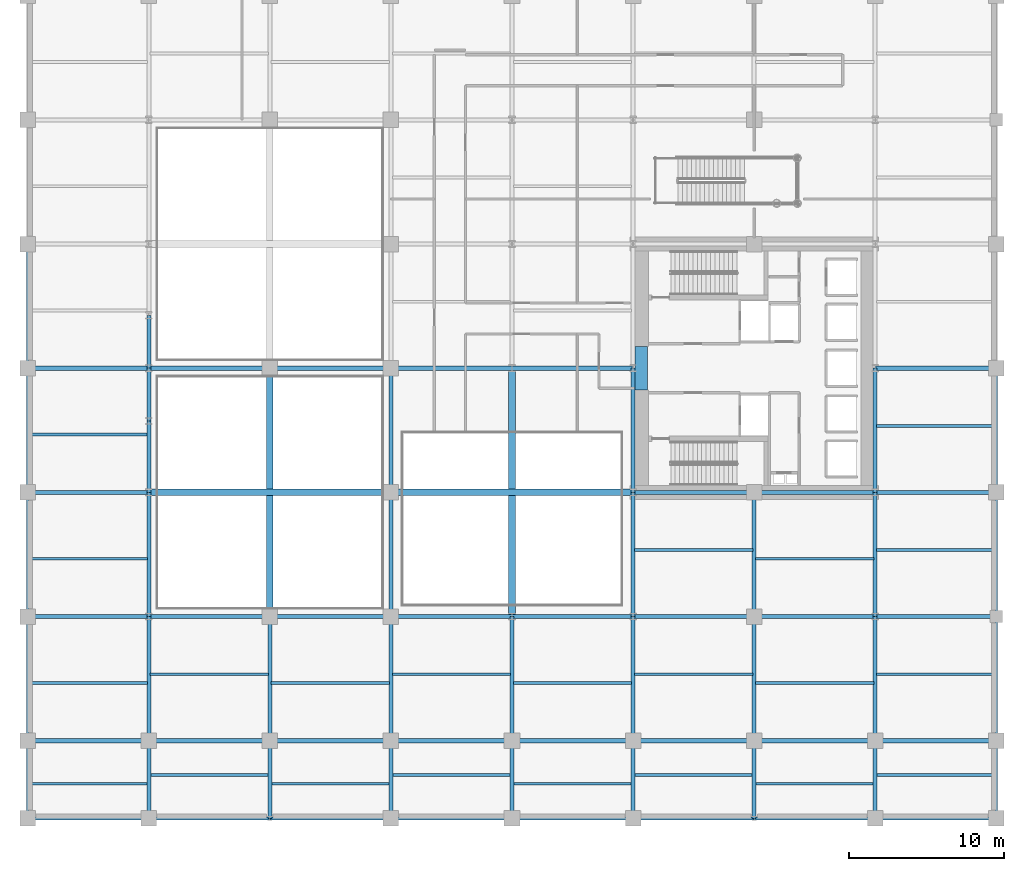
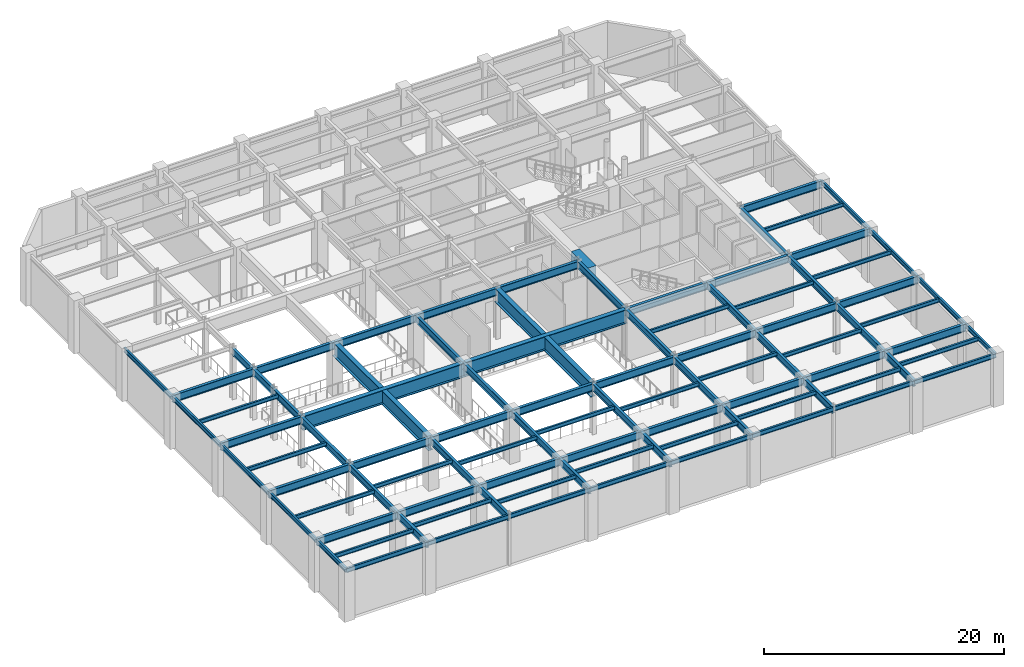
# One storey, part 6 of 15: 95 beams.
"""IFC4 building model written with IfcOpenShell, lengths in metres."""

from ifc_helpers import new_model, si_unit, direction, frame, origin, origin_2d, place, context, subcontext, project, spatial, rectangle, i_section, extrude, material, material_profile, profile_set, type_object, element, save


model = new_model("IFC4")

# Units and contexts
model_context = context("Model", 3, precision=1e-05, world=origin(), true_north=direction((0.0, 1.0)))
body_context = subcontext(model_context, "Body", "Model", "MODEL_VIEW")
ifc_project = project(units=[si_unit("LENGTHUNIT", "METRE"), si_unit("AREAUNIT", "SQUARE_METRE"), si_unit("VOLUMEUNIT", "CUBIC_METRE"), si_unit("PLANEANGLEUNIT", "RADIAN"), si_unit("MASSUNIT", "GRAM", prefix="KILO")], contexts=[model_context])

# Site, building, storey
site_placement = place(None, origin())
site = spatial("IfcSite", under=ifc_project, at=site_placement, CompositionType="ELEMENT")
building_placement = place(site_placement, origin())
building = spatial("IfcBuilding", under=site, at=building_placement, Name="Veymaron Broadcast Tower", CompositionType="ELEMENT")
storey_placement = place(building_placement, frame((0.0, 0.0, 5.39990234375)))
storey = spatial("IfcBuildingStorey", under=building, at=storey_placement, Name="L01", CompositionType="ELEMENT", Elevation=5.39990234375)

# Beams
ifc_material_1 = material(Name="Concrete C70/85", Category="concrete")
ifc_material_profile_1 = material_profile(ifc_material_1, rectangle(XDim=0.800048828125, YDim=1.10009765625, at=origin_2d()), Name="RC800X1100")
ifc_profile_set_1 = profile_set([ifc_material_profile_1], Name="Concrete C70/85")
beam_type_1 = type_object("IfcBeamType", Name="BM-CB1", PredefinedType="LINTEL", material=ifc_profile_set_1)
beam_1_placement = place(storey_placement, frame((39.530029296875, 22.60009765625, 4.570068359375), z_axis=(0.0, 1.0, 0.0), x_axis=(-1.0, 0.0, 0.0)))
element("IfcBeam", 1, at=beam_1_placement, inside=storey, type_object=beam_type_1, Name="L01 Core Wall west coupling beam", PredefinedType="LINTEL", context=body_context, shape_type="SweptSolid", body=[
    extrude(rectangle(XDim=0.800048828125, YDim=1.10009765625, at=origin_2d()), origin(), (0.0, 0.0, 1.0), 2.7998046875),
])
ifc_material_2 = material(Name="Structural steel ASTM A992 Gr 50", Category="steel")
ifc_material_profile_2 = material_profile(ifc_material_2, i_section(OverallWidth=0.177978515625, OverallDepth=0.406982421875, WebThickness=0.0078125, FlangeThickness=0.0126953125, at=origin_2d()), Name="W410X60")
ifc_profile_set_2 = profile_set([ifc_material_profile_2], Name="Structural steel ASTM A992 Gr 50")
beam_type_2 = type_object("IfcBeamType", Name="BM-JS1", PredefinedType="JOIST", material=ifc_profile_set_2)
for number, where, z_axis, x_axis, name in (
    (2, (0.0849609375, -2.780029296875, 4.91650390625), (1.0, 0.0, 0.0), (0.0, 1.0, 0.0), "L01 podium secondary floor joist"),
    (3, (0.0849609375, 3.719970703125, 4.91650390625), (1.0, 0.0, 0.0), (0.0, 1.0, 0.0), "L01 podium secondary floor joist"),
    (4, (0.0849609375, 11.719970703125, 4.91650390625), (1.0, 0.0, 0.0), (0.0, 1.0, 0.0), "L01 podium secondary floor joist"),
    (5, (0.0849609375, 19.719970703125, 4.91650390625), (1.0, 0.0, 0.0), (0.0, 1.0, 0.0), "L01 podium secondary floor joist"),
):
    element("IfcBeam", number, at=place(storey_placement, frame(where, z_axis=z_axis, x_axis=x_axis)), inside=storey, type_object=beam_type_2, Name=name, PredefinedType="JOIST", context=body_context, shape_type="SweptSolid", body=[
        extrude(i_section(OverallWidth=0.177978515625, OverallDepth=0.406982421875, WebThickness=0.0078125, FlangeThickness=0.0126953125, at=origin_2d()), origin(), (0.0, 0.0, 1.0), 7.630126953125),
    ])
for number, where, z_axis, x_axis, name in (
    (6, (7.885009765625, -2.219970703125, 4.91650390625), (1.0, 0.0, 0.0), (0.0, 1.0, 0.0), "L01 podium secondary floor joist"),
    (7, (7.885009765625, 4.280029296875, 4.91650390625), (1.0, 0.0, 0.0), (0.0, 1.0, 0.0), "L01 podium secondary floor joist"),
    (8, (15.68505859375, -2.780029296875, 4.91650390625), (1.0, 0.0, 0.0), (0.0, 1.0, 0.0), "L01 podium secondary floor joist"),
    (9, (15.68505859375, 3.719970703125, 4.91650390625), (1.0, 0.0, 0.0), (0.0, 1.0, 0.0), "L01 podium secondary floor joist"),
    (10, (23.485107421875, -2.219970703125, 4.91650390625), (1.0, 0.0, 0.0), (0.0, 1.0, 0.0), "L01 podium secondary floor joist"),
    (11, (23.485107421875, 4.280029296875, 4.91650390625), (1.0, 0.0, 0.0), (0.0, 1.0, 0.0), "L01 podium secondary floor joist"),
):
    element("IfcBeam", number, at=place(storey_placement, frame(where, z_axis=z_axis, x_axis=x_axis)), inside=storey, type_object=beam_type_2, Name=name, PredefinedType="JOIST", context=body_context, shape_type="SweptSolid", body=[
        extrude(i_section(OverallWidth=0.177978515625, OverallDepth=0.406982421875, WebThickness=0.0078125, FlangeThickness=0.0126953125, at=origin_2d()), origin(), (0.0, 0.0, 1.0), 7.6298828125),
    ])
for number, where, z_axis, x_axis, name in (
    (12, (31.284912109375, -2.780029296875, 4.91650390625), (1.0, 0.0, 0.0), (0.0, 1.0, 0.0), "L01 podium secondary floor joist"),
    (13, (31.284912109375, 3.719970703125, 4.91650390625), (1.0, 0.0, 0.0), (0.0, 1.0, 0.0), "L01 podium secondary floor joist"),
    (14, (39.0849609375, -2.219970703125, 4.91650390625), (1.0, 0.0, 0.0), (0.0, 1.0, 0.0), "L01 podium secondary floor joist"),
    (15, (39.0849609375, 4.280029296875, 4.91650390625), (1.0, 0.0, 0.0), (0.0, 1.0, 0.0), "L01 podium secondary floor joist"),
    (16, (39.0849609375, 12.280029296875, 4.91650390625), (1.0, 0.0, 0.0), (0.0, 1.0, 0.0), "L01 podium secondary floor joist"),
):
    element("IfcBeam", number, at=place(storey_placement, frame(where, z_axis=z_axis, x_axis=x_axis)), inside=storey, type_object=beam_type_2, Name=name, PredefinedType="JOIST", context=body_context, shape_type="SweptSolid", body=[
        extrude(i_section(OverallWidth=0.177978515625, OverallDepth=0.406982421875, WebThickness=0.0078125, FlangeThickness=0.0126953125, at=origin_2d()), origin(), (0.0, 0.0, 1.0), 7.630126953125),
    ])
for number, where, z_axis, x_axis, name in (
    (17, (46.885009765625, -2.780029296875, 4.91650390625), (1.0, 0.0, 0.0), (0.0, 1.0, 0.0), "L01 podium secondary floor joist"),
    (18, (46.885009765625, 3.719970703125, 4.91650390625), (1.0, 0.0, 0.0), (0.0, 1.0, 0.0), "L01 podium secondary floor joist"),
    (19, (46.885009765625, 11.719970703125, 4.91650390625), (1.0, 0.0, 0.0), (0.0, 1.0, 0.0), "L01 podium secondary floor joist"),
    (20, (54.68505859375, -2.219970703125, 4.91650390625), (1.0, 0.0, 0.0), (0.0, 1.0, 0.0), "L01 podium secondary floor joist"),
    (21, (54.68505859375, 4.280029296875, 4.91650390625), (1.0, 0.0, 0.0), (0.0, 1.0, 0.0), "L01 podium secondary floor joist"),
    (22, (54.68505859375, 12.280029296875, 4.91650390625), (1.0, 0.0, 0.0), (0.0, 1.0, 0.0), "L01 podium secondary floor joist"),
    (23, (54.68505859375, 20.280029296875, 4.91650390625), (1.0, 0.0, 0.0), (0.0, 1.0, 0.0), "L01 podium secondary floor joist"),
):
    element("IfcBeam", number, at=place(storey_placement, frame(where, z_axis=z_axis, x_axis=x_axis)), inside=storey, type_object=beam_type_2, Name=name, PredefinedType="JOIST", context=body_context, shape_type="SweptSolid", body=[
        extrude(i_section(OverallWidth=0.177978515625, OverallDepth=0.406982421875, WebThickness=0.0078125, FlangeThickness=0.0126953125, at=origin_2d()), origin(), (0.0, 0.0, 1.0), 7.6298828125),
    ])
ifc_material_profile_3 = material_profile(ifc_material_2, i_section(OverallWidth=0.26806640625, OverallDepth=0.77001953125, WebThickness=0.015625, FlangeThickness=0.025390625, at=origin_2d()), Name="W760X196")
ifc_profile_set_3 = profile_set([ifc_material_profile_3], Name="Structural steel ASTM A992 Gr 50")
beam_type_3 = type_object("IfcBeamType", Name="BM-PG1", PredefinedType="BEAM", material=ifc_profile_set_3)
for number, where, z_axis, x_axis, name in (
    (24, (0.0, 0.0, 4.735107421875), (1.0, 0.0, 0.0), (0.0, 1.0, 0.0), "L01 podium primary X-girder"),
    (25, (7.800048828125, 0.0, 4.735107421875), (1.0, 0.0, 0.0), (0.0, 1.0, 0.0), "L01 podium primary X-girder"),
):
    element("IfcBeam", number, at=place(storey_placement, frame(where, z_axis=z_axis, x_axis=x_axis)), inside=storey, type_object=beam_type_3, Name=name, PredefinedType="BEAM", context=body_context, shape_type="SweptSolid", body=[
        extrude(i_section(OverallWidth=0.26806640625, OverallDepth=0.77001953125, WebThickness=0.015625, FlangeThickness=0.025390625, at=origin_2d()), origin(), (0.0, 0.0, 1.0), 7.800048828125),
    ])
beam_2_placement = place(storey_placement, frame((15.60009765625, 0.0, 4.735107421875), z_axis=(1.0, 0.0, 0.0), x_axis=(0.0, 1.0, 0.0)))
element("IfcBeam", 26, at=beam_2_placement, inside=storey, type_object=beam_type_3, Name="L01 podium primary X-girder", PredefinedType="BEAM", context=body_context, shape_type="SweptSolid", body=[
    extrude(i_section(OverallWidth=0.26806640625, OverallDepth=0.77001953125, WebThickness=0.015625, FlangeThickness=0.025390625, at=origin_2d()), origin(), (0.0, 0.0, 1.0), 7.7998046875),
])
for number, where, z_axis, x_axis, name in (
    (27, (23.39990234375, 0.0, 4.735107421875), (1.0, 0.0, 0.0), (0.0, 1.0, 0.0), "L01 podium primary X-girder"),
    (28, (31.199951171875, 0.0, 4.735107421875), (1.0, 0.0, 0.0), (0.0, 1.0, 0.0), "L01 podium primary X-girder"),
    (29, (39.0, 0.0, 4.735107421875), (1.0, 0.0, 0.0), (0.0, 1.0, 0.0), "L01 podium primary X-girder"),
    (30, (46.800048828125, 0.0, 4.735107421875), (1.0, 0.0, 0.0), (0.0, 1.0, 0.0), "L01 podium primary X-girder"),
):
    element("IfcBeam", number, at=place(storey_placement, frame(where, z_axis=z_axis, x_axis=x_axis)), inside=storey, type_object=beam_type_3, Name=name, PredefinedType="BEAM", context=body_context, shape_type="SweptSolid", body=[
        extrude(i_section(OverallWidth=0.26806640625, OverallDepth=0.77001953125, WebThickness=0.015625, FlangeThickness=0.025390625, at=origin_2d()), origin(), (0.0, 0.0, 1.0), 7.800048828125),
    ])
beam_3_placement = place(storey_placement, frame((54.60009765625, 0.0, 4.735107421875), z_axis=(1.0, 0.0, 0.0), x_axis=(0.0, 1.0, 0.0)))
element("IfcBeam", 31, at=beam_3_placement, inside=storey, type_object=beam_type_3, Name="L01 podium primary X-girder", PredefinedType="BEAM", context=body_context, shape_type="SweptSolid", body=[
    extrude(i_section(OverallWidth=0.26806640625, OverallDepth=0.77001953125, WebThickness=0.015625, FlangeThickness=0.025390625, at=origin_2d()), origin(), (0.0, 0.0, 1.0), 7.7998046875),
])
for number, where, z_axis, x_axis, name in (
    (32, (0.0, 8.0, 4.735107421875), (1.0, 0.0, 0.0), (0.0, 1.0, 0.0), "L01 podium primary X-girder"),
    (33, (7.800048828125, 8.0, 4.735107421875), (1.0, 0.0, 0.0), (0.0, 1.0, 0.0), "L01 podium primary X-girder"),
):
    element("IfcBeam", number, at=place(storey_placement, frame(where, z_axis=z_axis, x_axis=x_axis)), inside=storey, type_object=beam_type_3, Name=name, PredefinedType="BEAM", context=body_context, shape_type="SweptSolid", body=[
        extrude(i_section(OverallWidth=0.26806640625, OverallDepth=0.77001953125, WebThickness=0.015625, FlangeThickness=0.025390625, at=origin_2d()), origin(), (0.0, 0.0, 1.0), 7.800048828125),
    ])
beam_4_placement = place(storey_placement, frame((15.60009765625, 8.0, 4.735107421875), z_axis=(1.0, 0.0, 0.0), x_axis=(0.0, 1.0, 0.0)))
element("IfcBeam", 34, at=beam_4_placement, inside=storey, type_object=beam_type_3, Name="L01 podium primary X-girder", PredefinedType="BEAM", context=body_context, shape_type="SweptSolid", body=[
    extrude(i_section(OverallWidth=0.26806640625, OverallDepth=0.77001953125, WebThickness=0.015625, FlangeThickness=0.025390625, at=origin_2d()), origin(), (0.0, 0.0, 1.0), 7.7998046875),
])
for number, where, z_axis, x_axis, name in (
    (35, (23.39990234375, 8.0, 4.735107421875), (1.0, 0.0, 0.0), (0.0, 1.0, 0.0), "L01 podium primary X-girder"),
    (36, (31.199951171875, 8.0, 4.735107421875), (1.0, 0.0, 0.0), (0.0, 1.0, 0.0), "L01 podium primary X-girder"),
    (37, (39.0, 8.0, 4.735107421875), (1.0, 0.0, 0.0), (0.0, 1.0, 0.0), "L01 podium primary X-girder"),
    (38, (46.800048828125, 8.0, 4.735107421875), (1.0, 0.0, 0.0), (0.0, 1.0, 0.0), "L01 podium primary X-girder"),
):
    element("IfcBeam", number, at=place(storey_placement, frame(where, z_axis=z_axis, x_axis=x_axis)), inside=storey, type_object=beam_type_3, Name=name, PredefinedType="BEAM", context=body_context, shape_type="SweptSolid", body=[
        extrude(i_section(OverallWidth=0.26806640625, OverallDepth=0.77001953125, WebThickness=0.015625, FlangeThickness=0.025390625, at=origin_2d()), origin(), (0.0, 0.0, 1.0), 7.800048828125),
    ])
beam_5_placement = place(storey_placement, frame((54.60009765625, 8.0, 4.735107421875), z_axis=(1.0, 0.0, 0.0), x_axis=(0.0, 1.0, 0.0)))
element("IfcBeam", 39, at=beam_5_placement, inside=storey, type_object=beam_type_3, Name="L01 podium primary X-girder", PredefinedType="BEAM", context=body_context, shape_type="SweptSolid", body=[
    extrude(i_section(OverallWidth=0.26806640625, OverallDepth=0.77001953125, WebThickness=0.015625, FlangeThickness=0.025390625, at=origin_2d()), origin(), (0.0, 0.0, 1.0), 7.7998046875),
])
for number, where, z_axis, x_axis, name in (
    (40, (0.0, 16.0, 4.735107421875), (1.0, 0.0, 0.0), (0.0, 1.0, 0.0), "L01 podium primary X-girder"),
    (41, (39.0, 16.0, 4.735107421875), (1.0, 0.0, 0.0), (0.0, 1.0, 0.0), "L01 podium primary X-girder"),
    (42, (46.800048828125, 16.0, 4.735107421875), (1.0, 0.0, 0.0), (0.0, 1.0, 0.0), "L01 podium primary X-girder"),
):
    element("IfcBeam", number, at=place(storey_placement, frame(where, z_axis=z_axis, x_axis=x_axis)), inside=storey, type_object=beam_type_3, Name=name, PredefinedType="BEAM", context=body_context, shape_type="SweptSolid", body=[
        extrude(i_section(OverallWidth=0.26806640625, OverallDepth=0.77001953125, WebThickness=0.015625, FlangeThickness=0.025390625, at=origin_2d()), origin(), (0.0, 0.0, 1.0), 7.800048828125),
    ])
beam_6_placement = place(storey_placement, frame((54.60009765625, 16.0, 4.735107421875), z_axis=(1.0, 0.0, 0.0), x_axis=(0.0, 1.0, 0.0)))
element("IfcBeam", 43, at=beam_6_placement, inside=storey, type_object=beam_type_3, Name="L01 podium primary X-girder", PredefinedType="BEAM", context=body_context, shape_type="SweptSolid", body=[
    extrude(i_section(OverallWidth=0.26806640625, OverallDepth=0.77001953125, WebThickness=0.015625, FlangeThickness=0.025390625, at=origin_2d()), origin(), (0.0, 0.0, 1.0), 7.7998046875),
])
for number, where, z_axis, x_axis, name in (
    (44, (0.0, 24.0, 4.735107421875), (1.0, 0.0, 0.0), (0.0, 1.0, 0.0), "L01 podium primary X-girder"),
    (45, (7.800048828125, 24.0, 4.735107421875), (1.0, 0.0, 0.0), (0.0, 1.0, 0.0), "L01 podium primary X-girder"),
):
    element("IfcBeam", number, at=place(storey_placement, frame(where, z_axis=z_axis, x_axis=x_axis)), inside=storey, type_object=beam_type_3, Name=name, PredefinedType="BEAM", context=body_context, shape_type="SweptSolid", body=[
        extrude(i_section(OverallWidth=0.26806640625, OverallDepth=0.77001953125, WebThickness=0.015625, FlangeThickness=0.025390625, at=origin_2d()), origin(), (0.0, 0.0, 1.0), 7.800048828125),
    ])
beam_7_placement = place(storey_placement, frame((15.60009765625, 24.0, 4.735107421875), z_axis=(1.0, 0.0, 0.0), x_axis=(0.0, 1.0, 0.0)))
element("IfcBeam", 46, at=beam_7_placement, inside=storey, type_object=beam_type_3, Name="L01 podium primary X-girder", PredefinedType="BEAM", context=body_context, shape_type="SweptSolid", body=[
    extrude(i_section(OverallWidth=0.26806640625, OverallDepth=0.77001953125, WebThickness=0.015625, FlangeThickness=0.025390625, at=origin_2d()), origin(), (0.0, 0.0, 1.0), 7.7998046875),
])
for number, where, z_axis, x_axis, name in (
    (47, (23.39990234375, 24.0, 4.735107421875), (1.0, 0.0, 0.0), (0.0, 1.0, 0.0), "L01 podium primary X-girder"),
    (48, (31.199951171875, 24.0, 4.735107421875), (1.0, 0.0, 0.0), (0.0, 1.0, 0.0), "L01 podium primary X-girder"),
):
    element("IfcBeam", number, at=place(storey_placement, frame(where, z_axis=z_axis, x_axis=x_axis)), inside=storey, type_object=beam_type_3, Name=name, PredefinedType="BEAM", context=body_context, shape_type="SweptSolid", body=[
        extrude(i_section(OverallWidth=0.26806640625, OverallDepth=0.77001953125, WebThickness=0.015625, FlangeThickness=0.025390625, at=origin_2d()), origin(), (0.0, 0.0, 1.0), 7.800048828125),
    ])
beam_8_placement = place(storey_placement, frame((54.60009765625, 24.0, 4.735107421875), z_axis=(1.0, 0.0, 0.0), x_axis=(0.0, 1.0, 0.0)))
element("IfcBeam", 49, at=beam_8_placement, inside=storey, type_object=beam_type_3, Name="L01 podium primary X-girder", PredefinedType="BEAM", context=body_context, shape_type="SweptSolid", body=[
    extrude(i_section(OverallWidth=0.26806640625, OverallDepth=0.77001953125, WebThickness=0.015625, FlangeThickness=0.025390625, at=origin_2d()), origin(), (0.0, 0.0, 1.0), 7.7998046875),
])
ifc_material_profile_4 = material_profile(ifc_material_2, i_section(OverallWidth=0.256103515625, OverallDepth=0.693115234375, WebThickness=0.014404296875, FlangeThickness=0.023681640625, at=origin_2d()), Name="W690X170")
ifc_profile_set_4 = profile_set([ifc_material_profile_4], Name="Structural steel ASTM A992 Gr 50")
beam_type_4 = type_object("IfcBeamType", Name="BM-PG2", PredefinedType="BEAM", material=ifc_profile_set_4)
beam_9_placement = place(storey_placement, frame((7.800048828125, -5.0, 4.773681640625), z_axis=(0.0, 1.0, 0.0), x_axis=(-1.0, 0.0, 0.0)))
element("IfcBeam", 50, at=beam_9_placement, inside=storey, type_object=beam_type_4, Name="L01 podium primary Y-girder", PredefinedType="BEAM", context=body_context, shape_type="SweptSolid", body=[
    extrude(i_section(OverallWidth=0.256103515625, OverallDepth=0.693115234375, WebThickness=0.014404296875, FlangeThickness=0.023681640625, at=origin_2d()), origin(), (0.0, 0.0, 1.0), 5.0),
])
for number, where, z_axis, x_axis, name in (
    (51, (7.800048828125, 0.0, 4.773681640625), (0.0, 1.0, 0.0), (-1.0, 0.0, 0.0), "L01 podium primary Y-girder"),
    (52, (7.800048828125, 8.0, 4.773681640625), (0.0, 1.0, 0.0), (-1.0, 0.0, 0.0), "L01 podium primary Y-girder"),
):
    element("IfcBeam", number, at=place(storey_placement, frame(where, z_axis=z_axis, x_axis=x_axis)), inside=storey, type_object=beam_type_4, Name=name, PredefinedType="BEAM", context=body_context, shape_type="SweptSolid", body=[
        extrude(i_section(OverallWidth=0.256103515625, OverallDepth=0.693115234375, WebThickness=0.014404296875, FlangeThickness=0.023681640625, at=origin_2d()), origin(), (0.0, 0.0, 1.0), 8.0),
    ])
beam_10_placement = place(storey_placement, frame((7.800048828125, 16.0, 4.773681640625), z_axis=(0.0, 1.0, 0.0), x_axis=(-1.0, 0.0, 0.0)))
element("IfcBeam", 53, at=beam_10_placement, inside=storey, type_object=beam_type_4, Name="L01 podium primary Y-girder", PredefinedType="BEAM", context=body_context, shape_type="SweptSolid", body=[
    extrude(i_section(OverallWidth=0.256103515625, OverallDepth=0.693115234375, WebThickness=0.014404296875, FlangeThickness=0.023681640625, at=origin_2d()), origin(), (0.0, 0.0, 1.0), 4.60009765625),
])
for number, where, z_axis, x_axis, name in (
    (54, (7.800048828125, 20.60009765625, 4.773681640625), (0.0, 1.0, 0.0), (-1.0, 0.0, 0.0), "L01 podium primary Y-girder"),
    (55, (7.800048828125, 24.0, 4.773681640625), (0.0, 1.0, 0.0), (-1.0, 0.0, 0.0), "L01 podium primary Y-girder"),
):
    element("IfcBeam", number, at=place(storey_placement, frame(where, z_axis=z_axis, x_axis=x_axis)), inside=storey, type_object=beam_type_4, Name=name, PredefinedType="BEAM", context=body_context, shape_type="SweptSolid", body=[
        extrude(i_section(OverallWidth=0.256103515625, OverallDepth=0.693115234375, WebThickness=0.014404296875, FlangeThickness=0.023681640625, at=origin_2d()), origin(), (0.0, 0.0, 1.0), 3.39990234375),
    ])
beam_11_placement = place(storey_placement, frame((15.60009765625, -5.0, 4.773681640625), z_axis=(0.0, 1.0, 0.0), x_axis=(-1.0, 0.0, 0.0)))
element("IfcBeam", 56, at=beam_11_placement, inside=storey, type_object=beam_type_4, Name="L01 podium primary Y-girder", PredefinedType="BEAM", context=body_context, shape_type="SweptSolid", body=[
    extrude(i_section(OverallWidth=0.256103515625, OverallDepth=0.693115234375, WebThickness=0.014404296875, FlangeThickness=0.023681640625, at=origin_2d()), origin(), (0.0, 0.0, 1.0), 5.0),
])
beam_12_placement = place(storey_placement, frame((15.60009765625, 0.0, 4.773681640625), z_axis=(0.0, 1.0, 0.0), x_axis=(-1.0, 0.0, 0.0)))
element("IfcBeam", 57, at=beam_12_placement, inside=storey, type_object=beam_type_4, Name="L01 podium primary Y-girder", PredefinedType="BEAM", context=body_context, shape_type="SweptSolid", body=[
    extrude(i_section(OverallWidth=0.256103515625, OverallDepth=0.693115234375, WebThickness=0.014404296875, FlangeThickness=0.023681640625, at=origin_2d()), origin(), (0.0, 0.0, 1.0), 8.0),
])
beam_13_placement = place(storey_placement, frame((23.39990234375, -5.0, 4.773681640625), z_axis=(0.0, 1.0, 0.0), x_axis=(-1.0, 0.0, 0.0)))
element("IfcBeam", 58, at=beam_13_placement, inside=storey, type_object=beam_type_4, Name="L01 podium primary Y-girder", PredefinedType="BEAM", context=body_context, shape_type="SweptSolid", body=[
    extrude(i_section(OverallWidth=0.256103515625, OverallDepth=0.693115234375, WebThickness=0.014404296875, FlangeThickness=0.023681640625, at=origin_2d()), origin(), (0.0, 0.0, 1.0), 5.0),
])
for number, where, z_axis, x_axis, name in (
    (59, (23.39990234375, 0.0, 4.773681640625), (0.0, 1.0, 0.0), (-1.0, 0.0, 0.0), "L01 podium primary Y-girder"),
    (60, (23.39990234375, 8.0, 4.773681640625), (0.0, 1.0, 0.0), (-1.0, 0.0, 0.0), "L01 podium primary Y-girder"),
    (61, (23.39990234375, 16.0, 4.773681640625), (0.0, 1.0, 0.0), (-1.0, 0.0, 0.0), "L01 podium primary Y-girder"),
):
    element("IfcBeam", number, at=place(storey_placement, frame(where, z_axis=z_axis, x_axis=x_axis)), inside=storey, type_object=beam_type_4, Name=name, PredefinedType="BEAM", context=body_context, shape_type="SweptSolid", body=[
        extrude(i_section(OverallWidth=0.256103515625, OverallDepth=0.693115234375, WebThickness=0.014404296875, FlangeThickness=0.023681640625, at=origin_2d()), origin(), (0.0, 0.0, 1.0), 8.0),
    ])
beam_14_placement = place(storey_placement, frame((31.199951171875, -5.0, 4.773681640625), z_axis=(0.0, 1.0, 0.0), x_axis=(-1.0, 0.0, 0.0)))
element("IfcBeam", 62, at=beam_14_placement, inside=storey, type_object=beam_type_4, Name="L01 podium primary Y-girder", PredefinedType="BEAM", context=body_context, shape_type="SweptSolid", body=[
    extrude(i_section(OverallWidth=0.256103515625, OverallDepth=0.693115234375, WebThickness=0.014404296875, FlangeThickness=0.023681640625, at=origin_2d()), origin(), (0.0, 0.0, 1.0), 5.0),
])
beam_15_placement = place(storey_placement, frame((31.199951171875, 0.0, 4.773681640625), z_axis=(0.0, 1.0, 0.0), x_axis=(-1.0, 0.0, 0.0)))
element("IfcBeam", 63, at=beam_15_placement, inside=storey, type_object=beam_type_4, Name="L01 podium primary Y-girder", PredefinedType="BEAM", context=body_context, shape_type="SweptSolid", body=[
    extrude(i_section(OverallWidth=0.256103515625, OverallDepth=0.693115234375, WebThickness=0.014404296875, FlangeThickness=0.023681640625, at=origin_2d()), origin(), (0.0, 0.0, 1.0), 8.0),
])
beam_16_placement = place(storey_placement, frame((39.0, -5.0, 4.773681640625), z_axis=(0.0, 1.0, 0.0), x_axis=(-1.0, 0.0, 0.0)))
element("IfcBeam", 64, at=beam_16_placement, inside=storey, type_object=beam_type_4, Name="L01 podium primary Y-girder", PredefinedType="BEAM", context=body_context, shape_type="SweptSolid", body=[
    extrude(i_section(OverallWidth=0.256103515625, OverallDepth=0.693115234375, WebThickness=0.014404296875, FlangeThickness=0.023681640625, at=origin_2d()), origin(), (0.0, 0.0, 1.0), 5.0),
])
for number, where, z_axis, x_axis, name in (
    (65, (39.0, 0.0, 4.773681640625), (0.0, 1.0, 0.0), (-1.0, 0.0, 0.0), "L01 podium primary Y-girder"),
    (66, (39.0, 8.0, 4.773681640625), (0.0, 1.0, 0.0), (-1.0, 0.0, 0.0), "L01 podium primary Y-girder"),
    (67, (39.0, 16.0, 4.773681640625), (0.0, 1.0, 0.0), (-1.0, 0.0, 0.0), "L01 podium primary Y-girder"),
):
    element("IfcBeam", number, at=place(storey_placement, frame(where, z_axis=z_axis, x_axis=x_axis)), inside=storey, type_object=beam_type_4, Name=name, PredefinedType="BEAM", context=body_context, shape_type="SweptSolid", body=[
        extrude(i_section(OverallWidth=0.256103515625, OverallDepth=0.693115234375, WebThickness=0.014404296875, FlangeThickness=0.023681640625, at=origin_2d()), origin(), (0.0, 0.0, 1.0), 8.0),
    ])
beam_17_placement = place(storey_placement, frame((46.800048828125, -5.0, 4.773681640625), z_axis=(0.0, 1.0, 0.0), x_axis=(-1.0, 0.0, 0.0)))
element("IfcBeam", 68, at=beam_17_placement, inside=storey, type_object=beam_type_4, Name="L01 podium primary Y-girder", PredefinedType="BEAM", context=body_context, shape_type="SweptSolid", body=[
    extrude(i_section(OverallWidth=0.256103515625, OverallDepth=0.693115234375, WebThickness=0.014404296875, FlangeThickness=0.023681640625, at=origin_2d()), origin(), (0.0, 0.0, 1.0), 5.0),
])
for number, where, z_axis, x_axis, name in (
    (69, (46.800048828125, 0.0, 4.773681640625), (0.0, 1.0, 0.0), (-1.0, 0.0, 0.0), "L01 podium primary Y-girder"),
    (70, (46.800048828125, 8.0, 4.773681640625), (0.0, 1.0, 0.0), (-1.0, 0.0, 0.0), "L01 podium primary Y-girder"),
):
    element("IfcBeam", number, at=place(storey_placement, frame(where, z_axis=z_axis, x_axis=x_axis)), inside=storey, type_object=beam_type_4, Name=name, PredefinedType="BEAM", context=body_context, shape_type="SweptSolid", body=[
        extrude(i_section(OverallWidth=0.256103515625, OverallDepth=0.693115234375, WebThickness=0.014404296875, FlangeThickness=0.023681640625, at=origin_2d()), origin(), (0.0, 0.0, 1.0), 8.0),
    ])
beam_18_placement = place(storey_placement, frame((54.60009765625, -5.0, 4.773681640625), z_axis=(0.0, 1.0, 0.0), x_axis=(-1.0, 0.0, 0.0)))
element("IfcBeam", 71, at=beam_18_placement, inside=storey, type_object=beam_type_4, Name="L01 podium primary Y-girder", PredefinedType="BEAM", context=body_context, shape_type="SweptSolid", body=[
    extrude(i_section(OverallWidth=0.256103515625, OverallDepth=0.693115234375, WebThickness=0.014404296875, FlangeThickness=0.023681640625, at=origin_2d()), origin(), (0.0, 0.0, 1.0), 5.0),
])
for number, where, z_axis, x_axis, name in (
    (72, (54.60009765625, 0.0, 4.773681640625), (0.0, 1.0, 0.0), (-1.0, 0.0, 0.0), "L01 podium primary Y-girder"),
    (73, (54.60009765625, 8.0, 4.773681640625), (0.0, 1.0, 0.0), (-1.0, 0.0, 0.0), "L01 podium primary Y-girder"),
    (74, (54.60009765625, 16.0, 4.773681640625), (0.0, 1.0, 0.0), (-1.0, 0.0, 0.0), "L01 podium primary Y-girder"),
):
    element("IfcBeam", number, at=place(storey_placement, frame(where, z_axis=z_axis, x_axis=x_axis)), inside=storey, type_object=beam_type_4, Name=name, PredefinedType="BEAM", context=body_context, shape_type="SweptSolid", body=[
        extrude(i_section(OverallWidth=0.256103515625, OverallDepth=0.693115234375, WebThickness=0.014404296875, FlangeThickness=0.023681640625, at=origin_2d()), origin(), (0.0, 0.0, 1.0), 8.0),
    ])
ifc_material_profile_5 = material_profile(ifc_material_2, i_section(OverallWidth=0.19091796875, OverallDepth=0.4599609375, WebThickness=0.010009765625, FlangeThickness=0.01611328125, at=origin_2d()), Name="W460X82")
ifc_profile_set_5 = profile_set([ifc_material_profile_5], Name="Structural steel ASTM A992 Gr 50")
beam_type_5 = type_object("IfcBeamType", Name="BM-SP1", PredefinedType="SPANDREL", material=ifc_profile_set_5)
for number, where, z_axis, x_axis, name in (
    (75, (0.0, -5.0, 4.89013671875), (1.0, 0.0, 0.0), (0.0, 1.0, 0.0), "L01 podium primary X-girder"),
    (76, (7.800048828125, -5.0, 4.89013671875), (1.0, 0.0, 0.0), (0.0, 1.0, 0.0), "L01 podium primary X-girder"),
):
    element("IfcBeam", number, at=place(storey_placement, frame(where, z_axis=z_axis, x_axis=x_axis)), inside=storey, type_object=beam_type_5, Name=name, PredefinedType="SPANDREL", context=body_context, shape_type="SweptSolid", body=[
        extrude(i_section(OverallWidth=0.19091796875, OverallDepth=0.4599609375, WebThickness=0.010009765625, FlangeThickness=0.01611328125, at=origin_2d()), origin(), (0.0, 0.0, 1.0), 7.800048828125),
    ])
beam_19_placement = place(storey_placement, frame((15.60009765625, -5.0, 4.89013671875), z_axis=(1.0, 0.0, 0.0), x_axis=(0.0, 1.0, 0.0)))
element("IfcBeam", 77, at=beam_19_placement, inside=storey, type_object=beam_type_5, Name="L01 podium primary X-girder", PredefinedType="SPANDREL", context=body_context, shape_type="SweptSolid", body=[
    extrude(i_section(OverallWidth=0.19091796875, OverallDepth=0.4599609375, WebThickness=0.010009765625, FlangeThickness=0.01611328125, at=origin_2d()), origin(), (0.0, 0.0, 1.0), 7.7998046875),
])
for number, where, z_axis, x_axis, name in (
    (78, (23.39990234375, -5.0, 4.89013671875), (1.0, 0.0, 0.0), (0.0, 1.0, 0.0), "L01 podium primary X-girder"),
    (79, (31.199951171875, -5.0, 4.89013671875), (1.0, 0.0, 0.0), (0.0, 1.0, 0.0), "L01 podium primary X-girder"),
    (80, (39.0, -5.0, 4.89013671875), (1.0, 0.0, 0.0), (0.0, 1.0, 0.0), "L01 podium primary X-girder"),
    (81, (46.800048828125, -5.0, 4.89013671875), (1.0, 0.0, 0.0), (0.0, 1.0, 0.0), "L01 podium primary X-girder"),
):
    element("IfcBeam", number, at=place(storey_placement, frame(where, z_axis=z_axis, x_axis=x_axis)), inside=storey, type_object=beam_type_5, Name=name, PredefinedType="SPANDREL", context=body_context, shape_type="SweptSolid", body=[
        extrude(i_section(OverallWidth=0.19091796875, OverallDepth=0.4599609375, WebThickness=0.010009765625, FlangeThickness=0.01611328125, at=origin_2d()), origin(), (0.0, 0.0, 1.0), 7.800048828125),
    ])
beam_20_placement = place(storey_placement, frame((54.60009765625, -5.0, 4.89013671875), z_axis=(1.0, 0.0, 0.0), x_axis=(0.0, 1.0, 0.0)))
element("IfcBeam", 82, at=beam_20_placement, inside=storey, type_object=beam_type_5, Name="L01 podium primary X-girder", PredefinedType="SPANDREL", context=body_context, shape_type="SweptSolid", body=[
    extrude(i_section(OverallWidth=0.19091796875, OverallDepth=0.4599609375, WebThickness=0.010009765625, FlangeThickness=0.01611328125, at=origin_2d()), origin(), (0.0, 0.0, 1.0), 7.7998046875),
])
beam_21_placement = place(storey_placement, frame((0.0, -5.0, 4.89013671875), z_axis=(0.0, 1.0, 0.0), x_axis=(-1.0, 0.0, 0.0)))
element("IfcBeam", 83, at=beam_21_placement, inside=storey, type_object=beam_type_5, Name="L01 podium primary Y-girder", PredefinedType="SPANDREL", context=body_context, shape_type="SweptSolid", body=[
    extrude(i_section(OverallWidth=0.19091796875, OverallDepth=0.4599609375, WebThickness=0.010009765625, FlangeThickness=0.01611328125, at=origin_2d()), origin(), (0.0, 0.0, 1.0), 5.0),
])
for number, where, z_axis, x_axis, name in (
    (84, (0.0, 0.0, 4.89013671875), (0.0, 1.0, 0.0), (-1.0, 0.0, 0.0), "L01 podium primary Y-girder"),
    (85, (0.0, 8.0, 4.89013671875), (0.0, 1.0, 0.0), (-1.0, 0.0, 0.0), "L01 podium primary Y-girder"),
    (86, (0.0, 16.0, 4.89013671875), (0.0, 1.0, 0.0), (-1.0, 0.0, 0.0), "L01 podium primary Y-girder"),
    (87, (0.0, 24.0, 4.89013671875), (0.0, 1.0, 0.0), (-1.0, 0.0, 0.0), "L01 podium primary Y-girder"),
):
    element("IfcBeam", number, at=place(storey_placement, frame(where, z_axis=z_axis, x_axis=x_axis)), inside=storey, type_object=beam_type_5, Name=name, PredefinedType="SPANDREL", context=body_context, shape_type="SweptSolid", body=[
        extrude(i_section(OverallWidth=0.19091796875, OverallDepth=0.4599609375, WebThickness=0.010009765625, FlangeThickness=0.01611328125, at=origin_2d()), origin(), (0.0, 0.0, 1.0), 8.0),
    ])
beam_22_placement = place(storey_placement, frame((62.39990234375, -5.0, 4.89013671875), z_axis=(0.0, 1.0, 0.0), x_axis=(-1.0, 0.0, 0.0)))
element("IfcBeam", 88, at=beam_22_placement, inside=storey, type_object=beam_type_5, Name="L01 podium primary Y-girder", PredefinedType="SPANDREL", context=body_context, shape_type="SweptSolid", body=[
    extrude(i_section(OverallWidth=0.19091796875, OverallDepth=0.4599609375, WebThickness=0.010009765625, FlangeThickness=0.01611328125, at=origin_2d()), origin(), (0.0, 0.0, 1.0), 5.0),
])
for number, where, z_axis, x_axis, name in (
    (89, (62.39990234375, 0.0, 4.89013671875), (0.0, 1.0, 0.0), (-1.0, 0.0, 0.0), "L01 podium primary Y-girder"),
    (90, (62.39990234375, 8.0, 4.89013671875), (0.0, 1.0, 0.0), (-1.0, 0.0, 0.0), "L01 podium primary Y-girder"),
    (91, (62.39990234375, 16.0, 4.89013671875), (0.0, 1.0, 0.0), (-1.0, 0.0, 0.0), "L01 podium primary Y-girder"),
):
    element("IfcBeam", number, at=place(storey_placement, frame(where, z_axis=z_axis, x_axis=x_axis)), inside=storey, type_object=beam_type_5, Name=name, PredefinedType="SPANDREL", context=body_context, shape_type="SweptSolid", body=[
        extrude(i_section(OverallWidth=0.19091796875, OverallDepth=0.4599609375, WebThickness=0.010009765625, FlangeThickness=0.01611328125, at=origin_2d()), origin(), (0.0, 0.0, 1.0), 8.0),
    ])
ifc_material_3 = material(Name="Structural steel ASTM A913 Gr 65", Category="steel")
ifc_material_profile_6 = material_profile(ifc_material_3, i_section(OverallWidth=0.429931640625, OverallDepth=1.419921875, WebThickness=0.030029296875, FlangeThickness=0.050048828125, at=origin_2d()), Name="W1400X550")
ifc_profile_set_6 = profile_set([ifc_material_profile_6], Name="Structural steel ASTM A913 Gr 65")
beam_type_6 = type_object("IfcBeamType", Name="BM-TG0", PredefinedType="BEAM", material=ifc_profile_set_6)
beam_23_placement = place(storey_placement, frame((7.800048828125, 16.0, 4.41015625), z_axis=(1.0, 0.0, 0.0), x_axis=(0.0, 1.0, 0.0)))
element("IfcBeam", 92, at=beam_23_placement, inside=storey, type_object=beam_type_6, Name="L01 podium primary X-girder", PredefinedType="BEAM", context=body_context, shape_type="SweptSolid", body=[
    extrude(i_section(OverallWidth=0.429931640625, OverallDepth=1.419921875, WebThickness=0.030029296875, FlangeThickness=0.050048828125, at=origin_2d()), origin(), (0.0, 0.0, 1.0), 15.599853515625),
])
beam_24_placement = place(storey_placement, frame((23.39990234375, 16.0, 4.41015625), z_axis=(1.0, 0.0, 0.0), x_axis=(0.0, 1.0, 0.0)))
element("IfcBeam", 93, at=beam_24_placement, inside=storey, type_object=beam_type_6, Name="L01 podium primary X-girder", PredefinedType="BEAM", context=body_context, shape_type="SweptSolid", body=[
    extrude(i_section(OverallWidth=0.429931640625, OverallDepth=1.419921875, WebThickness=0.030029296875, FlangeThickness=0.050048828125, at=origin_2d()), origin(), (0.0, 0.0, 1.0), 15.60009765625),
])
for number, where, z_axis, x_axis, name in (
    (94, (15.60009765625, 8.0, 4.41015625), (0.0, 1.0, 0.0), (-1.0, 0.0, 0.0), "L01 podium primary Y-girder"),
    (95, (31.199951171875, 8.0, 4.41015625), (0.0, 1.0, 0.0), (-1.0, 0.0, 0.0), "L01 podium primary Y-girder"),
):
    element("IfcBeam", number, at=place(storey_placement, frame(where, z_axis=z_axis, x_axis=x_axis)), inside=storey, type_object=beam_type_6, Name=name, PredefinedType="BEAM", context=body_context, shape_type="SweptSolid", body=[
        extrude(i_section(OverallWidth=0.429931640625, OverallDepth=1.419921875, WebThickness=0.030029296875, FlangeThickness=0.050048828125, at=origin_2d()), origin(), (0.0, 0.0, 1.0), 16.0),
    ])

save(model, "model.ifc")
